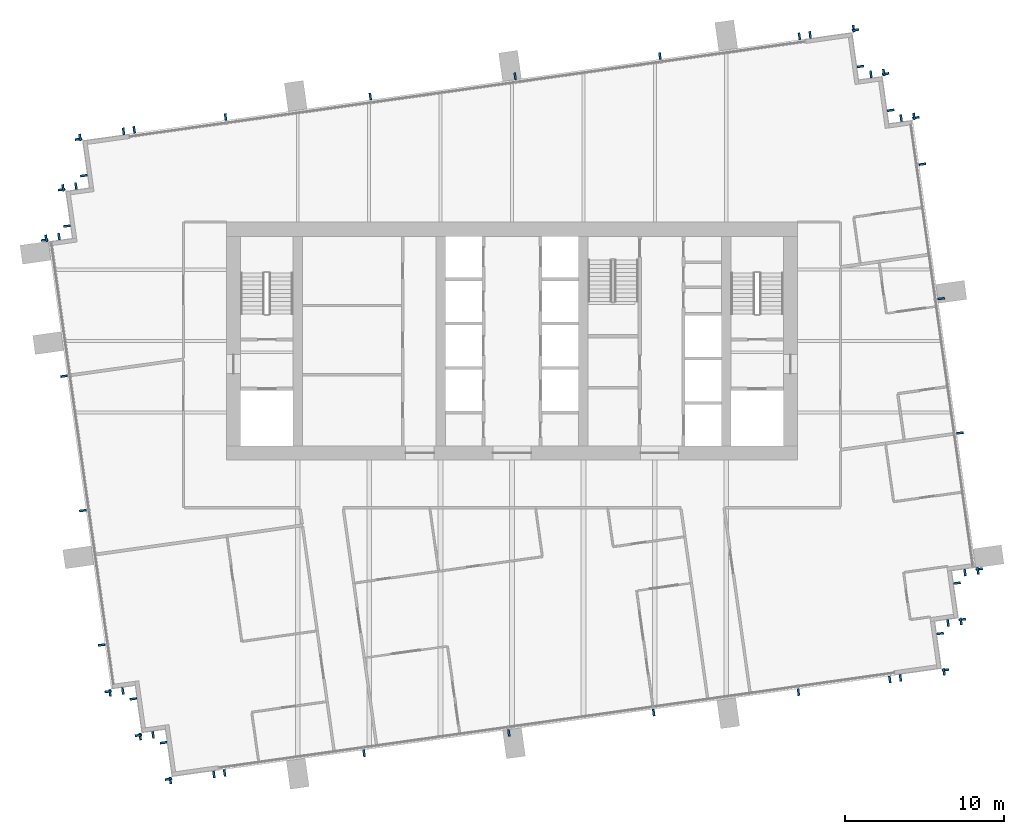
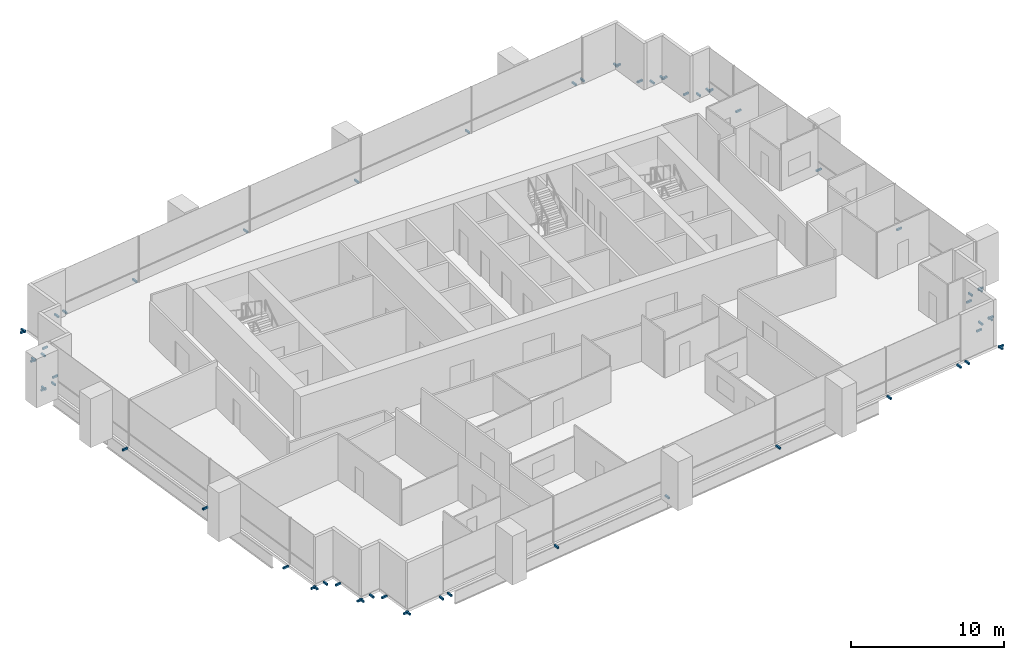
# One storey, part 13 of 14: 62 discrete accessories.
"""IFC4 building model written with IfcOpenShell, lengths in metres."""

from ifc_helpers import new_model, si_unit, direction, frame, origin, origin_2d, place, context, subcontext, project, spatial, rectangle, extrude, element, save


model = new_model("IFC4")

# Units and contexts
model_context = context("Model", 3, precision=1e-05, world=origin(), true_north=direction((0.0, 1.0)))
body_context = subcontext(model_context, "Body", "Model", "MODEL_VIEW")
ifc_project = project(units=[si_unit("LENGTHUNIT", "METRE"), si_unit("AREAUNIT", "SQUARE_METRE"), si_unit("VOLUMEUNIT", "CUBIC_METRE"), si_unit("PLANEANGLEUNIT", "RADIAN"), si_unit("MASSUNIT", "GRAM", prefix="KILO")], contexts=[model_context])

# Site, building, storey
site_placement = place(None, origin())
site = spatial("IfcSite", under=ifc_project, at=site_placement, CompositionType="ELEMENT")
building_placement = place(site_placement, origin())
building = spatial("IfcBuilding", under=site, at=building_placement, Name="Rattan Terrace Tower", CompositionType="ELEMENT")
storey_placement = place(building_placement, frame((0.0, 0.0, 184.10009765625)))
storey = spatial("IfcBuildingStorey", under=building, at=storey_placement, Name="L42", CompositionType="ELEMENT", Elevation=184.10009765625)

# Discrete accessories
for number, where, z_axis, x_axis, name in (
    (1, (24.474853515625, -21.2216796875, -0.169921875), (0.0, 0.0, 1.0), (0.990247240581, 0.139321220646, 0.0), "Panel bracket L42-1"),
    (2, (27.21826171875, -20.835693359375, -0.169921875), (0.0, 0.0, 1.0), (0.990247240581, 0.139321220646, 0.0), "Panel bracket L42-2"),
    (3, (27.30322265625, -20.72265625, -0.169921875), (0.0, 0.0, 1.0), (-0.139321220646, 0.990247240581, 0.0), "Panel bracket L42-3"),
    (4, (26.97998046875, -18.42529296875, -0.169921875), (0.0, 0.0, 1.0), (-0.139321220646, 0.990247240581, 0.0), "Panel bracket L42-4"),
    (5, (27.473876953125, -17.7705078125, -0.169921875), (0.0, 0.0, 1.0), (0.990345406709, 0.138621698915, 0.0), "Panel bracket L42-5"),
    (6, (28.286376953125, -17.65673828125, -0.169921875), (0.0, 0.0, 1.0), (0.990345406709, 0.138621698915, 0.0), "Panel bracket L42-6"),
    (7, (28.371337890625, -17.5439453125, -0.169921875), (0.0, 0.0, 1.0), (-0.139321220646, 0.990247240581, 0.0), "Panel bracket L42-7"),
    (8, (28.048095703125, -15.24609375, -0.169921875), (0.0, 0.0, 1.0), (-0.139321220646, 0.990247240581, 0.0), "Panel bracket L42-8"),
    (9, (28.54150390625, -14.5908203125, -0.169921875), (0.0, 0.0, 1.0), (0.99025370695, 0.139275252184, 0.0), "Panel bracket L42-9"),
    (10, (29.354248046875, -14.4765625, -0.169921875), (0.0, 0.0, 1.0), (0.99025370695, 0.139275252184, 0.0), "Panel bracket L42-10"),
    (11, (29.439208984375, -14.36376953125, -0.169921875), (0.0, 0.0, 1.0), (-0.139190856006, 0.99026557327, 0.0), "Panel bracket L42-11"),
    (12, (28.23388671875, -5.787841796875, -0.169921875), (0.0, 0.0, 1.0), (-0.139190856006, 0.99026557327, 0.0), "Panel bracket L42-12"),
    (13, (27.043701171875, 2.6787109375, -0.169921875), (0.0, 0.0, 1.0), (-0.139190856006, 0.99026557327, 0.0), "Panel bracket L42-13"),
    (14, (25.853759765625, 11.1455078125, -0.169921875), (0.0, 0.0, 1.0), (-0.139190856006, 0.99026557327, 0.0), "Panel bracket L42-14"),
    (15, (25.441650390625, 14.0771484375, -0.169921875), (0.0, 0.0, 1.0), (-0.139190856006, 0.99026557327, 0.0), "Panel bracket L42-15"),
    (16, (25.328857421875, 14.162353515625, -0.169921875), (0.0, 0.0, 1.0), (-0.990240767803, -0.139367219175, 0.0), "Panel bracket L42-16"),
    (17, (24.51708984375, 14.048095703125, -0.169921875), (0.0, 0.0, 1.0), (-0.990240767803, -0.139367219175, 0.0), "Panel bracket L42-17"),
    (18, (23.86181640625, 14.54150390625, -0.169921875), (0.0, 0.0, 1.0), (-0.139321220646, 0.990247240581, 0.0), "Panel bracket L42-18"),
    (19, (23.53857421875, 16.83935546875, -0.169921875), (0.0, 0.0, 1.0), (-0.139321220646, 0.990247240581, 0.0), "Panel bracket L42-19"),
    (20, (23.42578125, 16.92431640625, -0.169921875), (0.0, 0.0, 1.0), (-0.990240767803, -0.139367219175, 0.0), "Panel bracket L42-20"),
    (21, (22.614013671875, 16.81005859375, -0.169921875), (0.0, 0.0, 1.0), (-0.990240767803, -0.139367219175, 0.0), "Panel bracket L42-21"),
    (22, (21.958984375, 17.303466796875, -0.169921875), (0.0, 0.0, 1.0), (-0.139321220646, 0.990247240581, 0.0), "Panel bracket L42-22"),
    (23, (21.635498046875, 19.601318359375, -0.169921875), (0.0, 0.0, 1.0), (-0.139321220646, 0.990247240581, 0.0), "Panel bracket L42-23"),
    (24, (21.522705078125, 19.686279296875, -0.169921875), (0.0, 0.0, 1.0), (-0.990240767803, -0.139367219175, 0.0), "Panel bracket L42-24"),
    (25, (18.780517578125, 19.30029296875, -0.169921875), (0.0, 0.0, 1.0), (-0.990240767803, -0.139367219175, 0.0), "Panel bracket L42-25"),
    (26, (18.10693359375, 19.20556640625, -0.169921875), (0.0, 0.0, 1.0), (-0.990269702686, -0.139161474347, 0.0), "Panel bracket L42-26"),
    (27, (9.3203125, 17.970947265625, -0.169921875), (0.0, 0.0, 1.0), (-0.990269702686, -0.139161474347, 0.0), "Panel bracket L42-27"),
    (28, (0.197021484375, 16.688720703125, -0.169921875), (0.0, 0.0, 1.0), (-0.990269702686, -0.139161474347, 0.0), "Panel bracket L42-28"),
    (29, (-8.92626953125, 15.40673828125, -0.169921875), (0.0, 0.0, 1.0), (-0.990269702686, -0.139161474347, 0.0), "Panel bracket L42-29"),
    (30, (-18.0498046875, 14.12451171875, -0.169921875), (0.0, 0.0, 1.0), (-0.990269702686, -0.139161474347, 0.0), "Panel bracket L42-30"),
    (31, (-23.801513671875, 13.316162109375, -0.169921875), (0.0, 0.0, 1.0), (-0.990269702686, -0.139161474347, 0.0), "Panel bracket L42-31"),
    (32, (-24.474853515625, 13.2216796875, -0.169921875), (0.0, 0.0, 1.0), (-0.990247240581, -0.139321220646, 0.0), "Panel bracket L42-32"),
    (33, (-27.21826171875, 12.835693359375, -0.169921875), (0.0, 0.0, 1.0), (-0.990247240581, -0.139321220646, 0.0), "Panel bracket L42-33"),
    (34, (-27.30322265625, 12.72265625, -0.169921875), (0.0, 0.0, 1.0), (0.139321220646, -0.990247240581, 0.0), "Panel bracket L42-34"),
    (35, (-26.97998046875, 10.42529296875, -0.169921875), (0.0, 0.0, 1.0), (0.139321220646, -0.990247240581, 0.0), "Panel bracket L42-35"),
    (36, (-27.473876953125, 9.7705078125, -0.169921875), (0.0, 0.0, 1.0), (-0.990345406709, -0.138621698915, 0.0), "Panel bracket L42-36"),
    (37, (-28.286376953125, 9.65673828125, -0.169921875), (0.0, 0.0, 1.0), (-0.990345406709, -0.138621698915, 0.0), "Panel bracket L42-37"),
    (38, (-28.371337890625, 9.5439453125, -0.169921875), (0.0, 0.0, 1.0), (0.139321220646, -0.990247240581, 0.0), "Panel bracket L42-38"),
    (39, (-28.048095703125, 7.24609375, -0.169921875), (0.0, 0.0, 1.0), (0.139321220646, -0.990247240581, 0.0), "Panel bracket L42-39"),
    (40, (-28.54150390625, 6.5908203125, -0.169921875), (0.0, 0.0, 1.0), (-0.99025370695, -0.139275252184, 0.0), "Panel bracket L42-40"),
    (41, (-29.354248046875, 6.4765625, -0.169921875), (0.0, 0.0, 1.0), (-0.99025370695, -0.139275252184, 0.0), "Panel bracket L42-41"),
    (42, (-29.439208984375, 6.36376953125, -0.169921875), (0.0, 0.0, 1.0), (0.139190856006, -0.99026557327, 0.0), "Panel bracket L42-42"),
    (43, (-28.23388671875, -2.212158203125, -0.169921875), (0.0, 0.0, 1.0), (0.139190856006, -0.99026557327, 0.0), "Panel bracket L42-43"),
    (44, (-27.043701171875, -10.6787109375, -0.169921875), (0.0, 0.0, 1.0), (0.139190856006, -0.99026557327, 0.0), "Panel bracket L42-44"),
    (45, (-25.853759765625, -19.1455078125, -0.169921875), (0.0, 0.0, 1.0), (0.139190856006, -0.99026557327, 0.0), "Panel bracket L42-45"),
    (46, (-25.441650390625, -22.0771484375, -0.169921875), (0.0, 0.0, 1.0), (0.139190856006, -0.99026557327, 0.0), "Panel bracket L42-46"),
    (47, (-25.328857421875, -22.162353515625, -0.169921875), (0.0, 0.0, 1.0), (0.990240767803, 0.139367219175, 0.0), "Panel bracket L42-47"),
    (48, (-24.51708984375, -22.048095703125, -0.169921875), (0.0, 0.0, 1.0), (0.990240767803, 0.139367219175, 0.0), "Panel bracket L42-48"),
    (49, (-23.86181640625, -22.54150390625, -0.169921875), (0.0, 0.0, 1.0), (0.139321220646, -0.990247240581, 0.0), "Panel bracket L42-49"),
    (50, (-23.53857421875, -24.83935546875, -0.169921875), (0.0, 0.0, 1.0), (0.139321220646, -0.990247240581, 0.0), "Panel bracket L42-50"),
    (51, (-23.42578125, -24.92431640625, -0.169921875), (0.0, 0.0, 1.0), (0.990240767803, 0.139367219175, 0.0), "Panel bracket L42-51"),
    (52, (-22.614013671875, -24.81005859375, -0.169921875), (0.0, 0.0, 1.0), (0.990240767803, 0.139367219175, 0.0), "Panel bracket L42-52"),
    (53, (-21.958984375, -25.303466796875, -0.169921875), (0.0, 0.0, 1.0), (0.139321220646, -0.990247240581, 0.0), "Panel bracket L42-53"),
    (54, (-21.635498046875, -27.601318359375, -0.169921875), (0.0, 0.0, 1.0), (0.139321220646, -0.990247240581, 0.0), "Panel bracket L42-54"),
    (55, (-21.522705078125, -27.686279296875, -0.169921875), (0.0, 0.0, 1.0), (0.990240767803, 0.139367219175, 0.0), "Panel bracket L42-55"),
    (56, (-18.780517578125, -27.30029296875, -0.169921875), (0.0, 0.0, 1.0), (0.990240767803, 0.139367219175, 0.0), "Panel bracket L42-56"),
    (57, (-18.10693359375, -27.20556640625, -0.169921875), (0.0, 0.0, 1.0), (0.990269702686, 0.139161474347, 0.0), "Panel bracket L42-57"),
    (58, (-9.3203125, -25.970947265625, -0.169921875), (0.0, 0.0, 1.0), (0.990269702686, 0.139161474347, 0.0), "Panel bracket L42-58"),
    (59, (-0.197021484375, -24.688720703125, -0.169921875), (0.0, 0.0, 1.0), (0.990269702686, 0.139161474347, 0.0), "Panel bracket L42-59"),
    (60, (8.92626953125, -23.40673828125, -0.169921875), (0.0, 0.0, 1.0), (0.990269702686, 0.139161474347, 0.0), "Panel bracket L42-60"),
    (61, (18.0498046875, -22.12451171875, -0.169921875), (0.0, 0.0, 1.0), (0.990269702686, 0.139161474347, 0.0), "Panel bracket L42-61"),
    (62, (23.801513671875, -21.316162109375, -0.169921875), (0.0, 0.0, 1.0), (0.990269702686, 0.139161474347, 0.0), "Panel bracket L42-62"),
):
    element("IfcDiscreteAccessory", number, at=place(storey_placement, frame(where, z_axis=z_axis, x_axis=x_axis)), inside=storey, Name=name, PredefinedType="BRACKET", context=body_context, shape_type="SweptSolid", body=[
        extrude(rectangle(XDim=0.1201171875, YDim=0.419921875, at=origin_2d()), origin(), (0.0, 0.0, 1.0), 0.139892578125),
    ])

save(model, "model.ifc")
